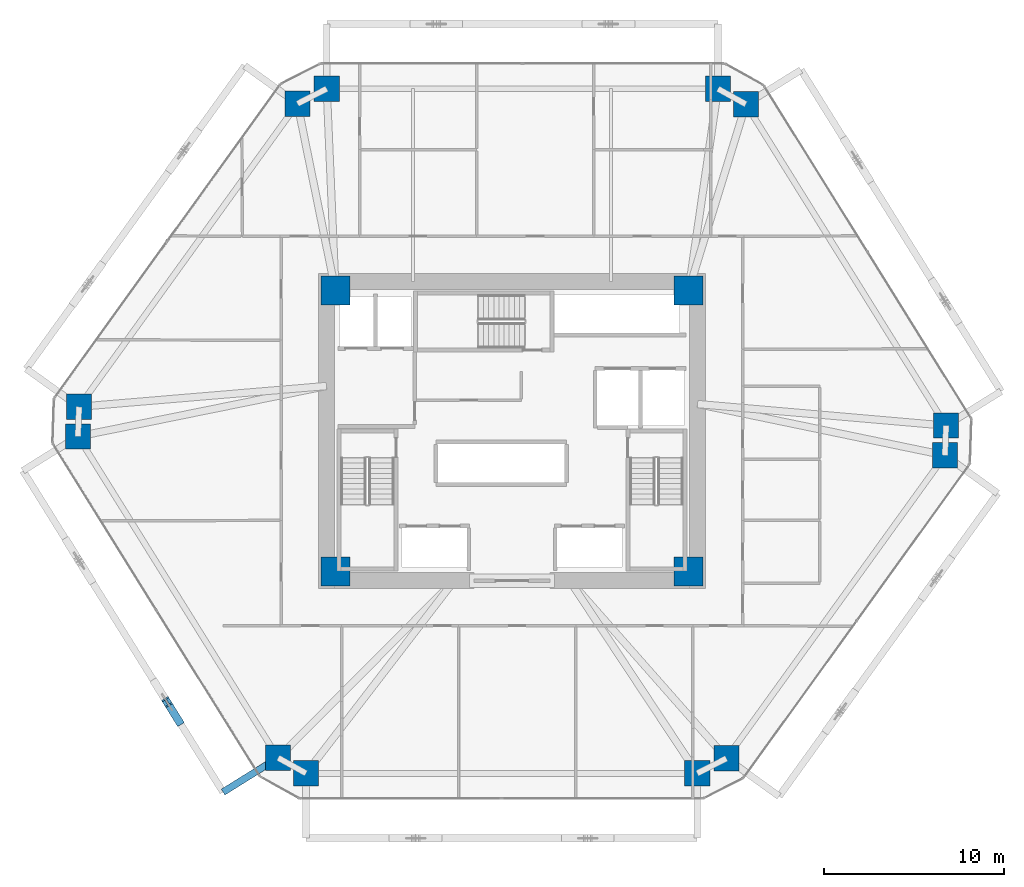
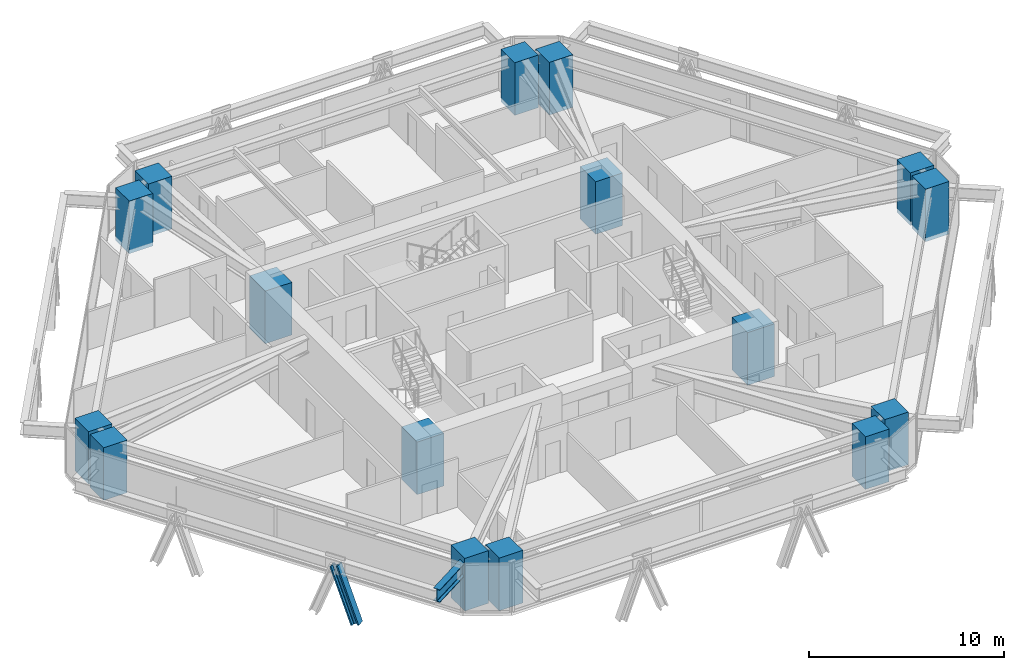
# One storey, part 1 of 17: 16 columns, 1 beam, 1 member.
"""IFC4 building model written with IfcOpenShell, lengths in metres."""

from ifc_helpers import new_model, si_unit, direction, frame, origin, origin_2d, place, context, subcontext, project, spatial, rectangle, i_section, extrude, source, transform, mapped, material, material_profile, profile_set, type_object, type_shapes, element, save


model = new_model("IFC4")

# Units and contexts
model_context = context("Model", 3, precision=1e-05, world=origin(), true_north=direction((0.0, 1.0)))
body_context = subcontext(model_context, "Body", "Model", "MODEL_VIEW")
ifc_project = project(units=[si_unit("LENGTHUNIT", "METRE"), si_unit("AREAUNIT", "SQUARE_METRE"), si_unit("VOLUMEUNIT", "CUBIC_METRE"), si_unit("PLANEANGLEUNIT", "RADIAN"), si_unit("MASSUNIT", "GRAM", prefix="KILO")], contexts=[model_context])

# Site, building, storey
site_placement = place(None, origin())
site = spatial("IfcSite", under=ifc_project, at=site_placement, CompositionType="ELEMENT")
building_placement = place(site_placement, origin())
building = spatial("IfcBuilding", under=site, at=building_placement, Name="Durnholm Broadcast Tower", CompositionType="ELEMENT")
storey_placement = place(building_placement, frame((0.0, 0.0, 45.60009765625)))
storey = spatial("IfcBuildingStorey", under=building, at=storey_placement, Name="L10", CompositionType="ELEMENT", Elevation=45.60009765625)

# Columns
ifc_material_1 = material(Name="Concrete C70/85", Category="concrete")
ifc_material_profile_1 = material_profile(ifc_material_1, rectangle(XDim=1.60009765625, YDim=1.60009765625, at=origin_2d()), Name="RC1600X1600")
ifc_profile_set_1 = profile_set([ifc_material_profile_1], Name="Concrete C70/85")
column_type_1 = type_object("IfcColumnType", Name="COL-CC-1600", PredefinedType="COLUMN", material=ifc_profile_set_1)
shared_shape_1 = source(origin(), body_context, "Body", "SweptSolid", [
    extrude(rectangle(XDim=1.60009765625, YDim=1.60009765625, at=origin_2d()), origin(), (0.0, 0.0, 1.0), 3.2998046875),
])
type_shapes(column_type_1, [shared_shape_1])
for number, where, z_axis, x_axis, name in (
    (1, (-9.800048828125, -7.800048828125, -0.239990234375), (0.0, 0.0, 1.0), (1.0, 0.0, 0.0), "L10 core corner column 1"),
    (2, (9.800048828125, -7.800048828125, -0.239990234375), (0.0, 0.0, 1.0), (1.0, 0.0, 0.0), "L10 core corner column 2"),
    (3, (9.800048828125, 7.800048828125, -0.239990234375), (0.0, 0.0, 1.0), (1.0, 0.0, 0.0), "L10 core corner column 3"),
    (4, (-9.800048828125, 7.800048828125, -0.239990234375), (0.0, 0.0, 1.0), (1.0, 0.0, 0.0), "L10 core corner column 4"),
):
    element("IfcColumn", number, at=place(storey_placement, frame(where, z_axis=z_axis, x_axis=x_axis)), inside=storey, type_object=column_type_1, Name=name, PredefinedType="COLUMN", context=body_context, shape_type="MappedRepresentation", body=[
        mapped(shared_shape_1, transform((0.0, 0.0, 0.0), x_axis=(1.0, 0.0, 0.0), y_axis=(0.0, 1.0, 0.0), z_axis=(0.0, 0.0, 1.0), scale=1.0)),
    ])
ifc_material_profile_2 = material_profile(ifc_material_1, rectangle(XDim=1.39990234375, YDim=1.39990234375, at=origin_2d()), Name="RC1400X1400")
ifc_profile_set_2 = profile_set([ifc_material_profile_2], Name="Concrete C70/85")
column_type_2 = type_object("IfcColumnType", Name="COL-CC-1400", PredefinedType="COLUMN", material=ifc_profile_set_2)
shared_shape_2 = source(origin(), body_context, "Body", "SweptSolid", [
    extrude(rectangle(XDim=1.39990234375, YDim=1.39990234375, at=origin_2d()), origin(), (0.0, 0.0, 1.0), 3.2998046875),
])
type_shapes(column_type_2, [shared_shape_2])
for number, where, z_axis, x_axis, name in (
    (5, (-12.982666015625, -18.138427734375, -0.239990234375), (0.0, 0.0, 1.0), (1.0, 0.0, 0.0), "L10 perimeter hexagonal tube column 01"),
    (6, (-24.0908203125, -0.2998046875, -0.239990234375), (0.0, 0.0, 1.0), (1.0, 0.0, 0.0), "L10 perimeter hexagonal tube column 02"),
    (7, (-24.034912109375, 1.347412109375, -0.239990234375), (0.0, 0.0, 1.0), (1.0, 0.0, 0.0), "L10 perimeter hexagonal tube column 03"),
    (8, (-11.907470703125, 18.16845703125, -0.239990234375), (0.0, 0.0, 1.0), (1.0, 0.0, 0.0), "L10 perimeter hexagonal tube column 04"),
    (9, (-10.28271484375, 19.0, -0.239990234375), (0.0, 0.0, 1.0), (1.0, 0.0, 0.0), "L10 perimeter hexagonal tube column 05"),
    (10, (11.43115234375, 19.0, -0.239990234375), (0.0, 0.0, 1.0), (1.0, 0.0, 0.0), "L10 perimeter hexagonal tube column 06"),
    (11, (12.982666015625, 18.138427734375, -0.239990234375), (0.0, 0.0, 1.0), (1.0, 0.0, 0.0), "L10 perimeter hexagonal tube column 07"),
    (12, (24.0908203125, 0.2998046875, -0.239990234375), (0.0, 0.0, 1.0), (1.0, 0.0, 0.0), "L10 perimeter hexagonal tube column 08"),
    (13, (24.034912109375, -1.347412109375, -0.239990234375), (0.0, 0.0, 1.0), (1.0, 0.0, 0.0), "L10 perimeter hexagonal tube column 09"),
    (14, (11.907470703125, -18.16845703125, -0.239990234375), (0.0, 0.0, 1.0), (1.0, 0.0, 0.0), "L10 perimeter hexagonal tube column 10"),
    (15, (10.28271484375, -19.0, -0.239990234375), (0.0, 0.0, 1.0), (1.0, 0.0, 0.0), "L10 perimeter hexagonal tube column 11"),
    (16, (-11.43115234375, -19.0, -0.239990234375), (0.0, 0.0, 1.0), (1.0, 0.0, 0.0), "L10 perimeter hexagonal tube column 12"),
):
    element("IfcColumn", number, at=place(storey_placement, frame(where, z_axis=z_axis, x_axis=x_axis)), inside=storey, type_object=column_type_2, Name=name, PredefinedType="COLUMN", context=body_context, shape_type="MappedRepresentation", body=[
        mapped(shared_shape_2, transform((0.0, 0.0, 0.0), x_axis=(1.0, 0.0, 0.0), y_axis=(0.0, 1.0, 0.0), z_axis=(0.0, 0.0, 1.0), scale=1.0)),
    ])

# Beam
ifc_material_2 = material(Name="Steel ASTM A992 Grade 50", Category="steel")
ifc_material_profile_3 = material_profile(ifc_material_2, i_section(OverallWidth=0.385009765625, OverallDepth=0.802978515625, WebThickness=0.023681640625, FlangeThickness=0.0419921875, FilletRadius=0.032958984375, at=origin_2d()), Name="W30X261")
ifc_profile_set_3 = profile_set([ifc_material_profile_3], Name="Steel ASTM A992 Grade 50")
beam_type = type_object("IfcBeamType", Name="BM-EXO-TIE", PredefinedType="USERDEFINED", material=ifc_profile_set_3)
shared_shape_3 = source(origin(), body_context, "Body", "SweptSolid", [
    extrude(i_section(OverallWidth=0.385009765625, OverallDepth=0.802978515625, WebThickness=0.023681640625, FlangeThickness=0.0419921875, FilletRadius=0.032958984375, at=origin_2d()), origin(), (0.0, 0.0, 1.0), 3.4560546875),
])
type_shapes(beam_type, [shared_shape_3])
beam_placement = place(storey_placement, frame((-13.10498046875, -18.214599609375, 2.308349609375), z_axis=(-0.848854443891, -0.528626648105, 0.0), x_axis=(0.528626648105, -0.848854443891, 0.0)))
element("IfcBeam", 17, at=beam_placement, inside=storey, type_object=beam_type, Name="L10 exoskeleton stand-off tie bracket F6.2", ObjectType="GIRDER", PredefinedType="USERDEFINED", context=body_context, shape_type="MappedRepresentation", body=[
    mapped(shared_shape_3, transform((0.0, 0.0, 0.0), x_axis=(1.0, 0.0, 0.0), y_axis=(0.0, 1.0, 0.0), z_axis=(0.0, 0.0, 1.0), scale=1.0)),
])

# Member
ifc_material_3 = material(Name="Steel ASTM A913 Grade 65", Category="steel")
ifc_material_profile_4 = material_profile(ifc_material_3, i_section(OverallWidth=0.43212890625, OverallDepth=0.497802734375, WebThickness=0.0556640625, FlangeThickness=0.0888671875, FilletRadius=0.030517578125, at=origin_2d()), Name="W14X500")
ifc_profile_set_4 = profile_set([ifc_material_profile_4], Name="Steel ASTM A913 Grade 65")
member_type = type_object("IfcMemberType", Name="STL-DG-W14X500", PredefinedType="BRACE", material=ifc_profile_set_4)
shared_shape_4 = source(origin(), body_context, "Body", "SweptSolid", [
    extrude(i_section(OverallWidth=0.43212890625, OverallDepth=0.497802734375, WebThickness=0.0556640625, FlangeThickness=0.0888671875, FilletRadius=0.030517578125, at=origin_2d()), origin(), (0.0, 0.0, 1.0), 3.52294921875),
])
type_shapes(member_type, [shared_shape_4])
member_placement = place(storey_placement, frame((-18.496826171875, -16.09375, -0.991455078125), z_axis=(-0.185102397695, 0.297300369192, 0.936669414919), x_axis=(-0.848908635391, -0.528539618911, 0.0)))
element("IfcMember", 18, at=member_placement, inside=storey, type_object=member_type, Name="L10 stand-off diagrid brace F6.D2.2", PredefinedType="BRACE", context=body_context, shape_type="MappedRepresentation", body=[
    mapped(shared_shape_4, transform((0.0, 0.0, 0.0), x_axis=(1.0, 0.0, 0.0), y_axis=(0.0, 1.0, 0.0), z_axis=(0.0, 0.0, 1.0), scale=1.0)),
])

save(model, "model.ifc")
